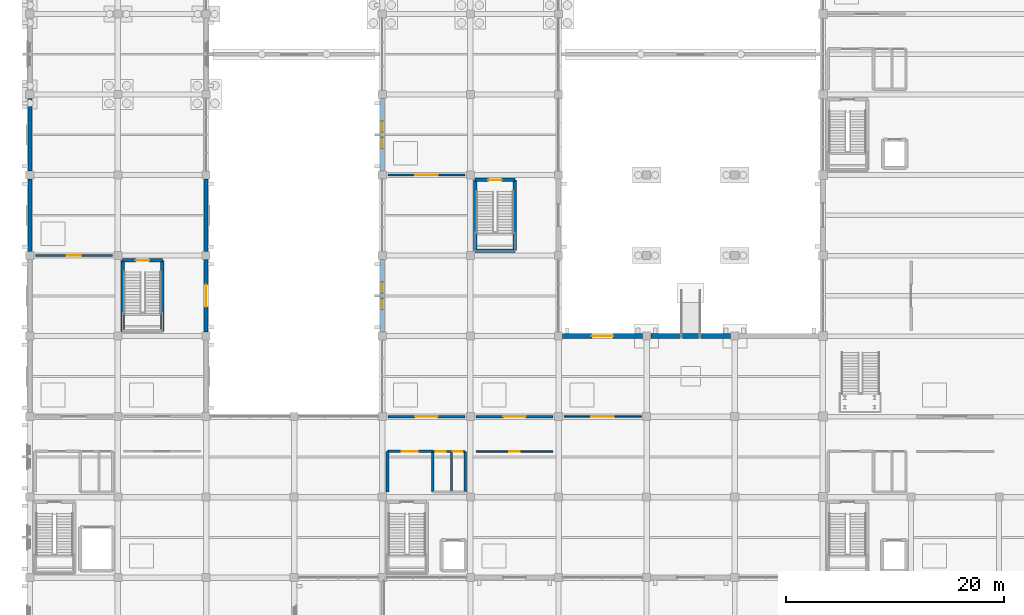
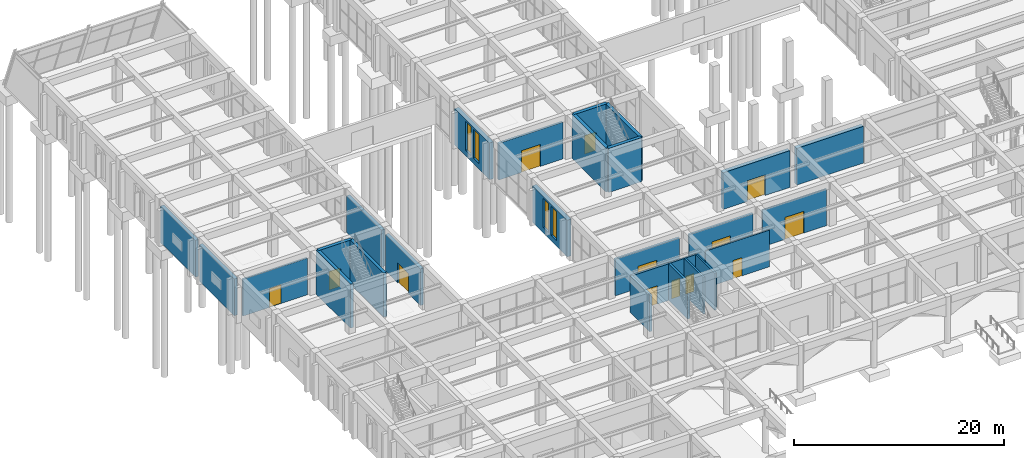
# One storey, part 123 of 140: 27 walls, 13 doors, 4 windows, 17 openings.
"""IFC4 building model written with IfcOpenShell, lengths in metres."""

from ifc_helpers import new_model, si_unit, direction, frame, frame_2d, origin, place, context, subcontext, project, spatial, rectangle, extrude, material, layer, layer_set, type_object, element, fill, save


model = new_model("IFC4")

# Units and contexts
model_context = context("Model", 3, precision=1e-05, world=origin(), true_north=direction((0.0, 1.0)))
body_context = subcontext(model_context, "Body", "Model", "MODEL_VIEW")
ifc_project = project(units=[si_unit("LENGTHUNIT", "METRE"), si_unit("AREAUNIT", "SQUARE_METRE"), si_unit("VOLUMEUNIT", "CUBIC_METRE"), si_unit("PLANEANGLEUNIT", "RADIAN"), si_unit("MASSUNIT", "GRAM", prefix="KILO")], contexts=[model_context])

# Site, building, storey
site_placement = place(None, origin())
site = spatial("IfcSite", under=ifc_project, at=site_placement, CompositionType="ELEMENT")
building_placement = place(site_placement, origin())
building = spatial("IfcBuilding", under=site, at=building_placement, Name="Cimatlan Art Gallery", CompositionType="ELEMENT")
storey_placement = place(building_placement, origin())
storey = spatial("IfcBuildingStorey", under=building, at=storey_placement, Name="L00", CompositionType="ELEMENT", Elevation=0.0)

# Walls
ifc_material_1 = material(Name="Concrete C40/50", Category="concrete")
ifc_layer_1 = layer(ifc_material_1, 0.35009765625)
ifc_layer_set_1 = layer_set([ifc_layer_1], Name="Concrete C40/50")
wall_type_1 = type_object("IfcWallType", Name="W-CORE-350", PredefinedType="SHEAR", material=ifc_layer_set_1)
for number, where, z_axis, x_axis, name in (
    (1, (10.5400390625, 46.5400390625, 0.0), (0.0, 0.0, 1.0), (0.0, 1.0, 0.0), "WL-CORE-C7-L00-SW"),
    (2, (14.179931640625, 46.5400390625, 0.0), (0.0, 0.0, 1.0), (0.0, 1.0, 0.0), "WL-CORE-C7-L00-SE"),
):
    element("IfcWall", number, at=place(storey_placement, frame(where, z_axis=z_axis, x_axis=x_axis)), inside=storey, type_object=wall_type_1, Name=name, PredefinedType="SHEAR", context=body_context, shape_type="SweptSolid", body=[
        extrude(rectangle(XDim=6.52001953125, YDim=0.35009765625, at=frame_2d((3.260009765625, 0.0))), origin(), (0.0, 0.0, 1.0), 5.1298828125),
    ])

# Wall, opening, door
wall_1_placement = place(storey_placement, frame((10.5400390625, 53.06005859375, 0.0), z_axis=(0.0, 0.0, 1.0), x_axis=(1.0, 0.0, 0.0)))
wall_1 = element("IfcWall", 3, at=wall_1_placement, inside=storey, type_object=wall_type_1, Name="WL-CORE-C7-L00-SN", PredefinedType="SHEAR", context=body_context, shape_type="SweptSolid", body=[
    extrude(rectangle(XDim=3.639892578125, YDim=0.35009765625, at=frame_2d((1.81982421875, 0.0))), origin(), (0.0, 0.0, 1.0), 5.1298828125),
])
opening_1_placement = place(wall_1_placement, frame((1.219970703125, 0.0, 0.0)))
opening_1 = element("IfcOpeningElement", 4, at=opening_1_placement, cuts=wall_1, Name="Opening FD-C7-L00", PredefinedType="OPENING", context=body_context, shape_type="SweptSolid", body=[
    extrude(rectangle(XDim=1.199951171875, YDim=2.14990234375, at=frame_2d((0.60009765625, 1.074951171875))), frame((0.0, 0.18505859375, 0.0), z_axis=(0.0, -1.0, 0.0), x_axis=(1.0, 0.0, 0.0)), (0.0, 0.0, 1.0), 0.3701171875),
])
ifc_material_2 = material(Name="Fire-resisting steel acoustic stair door", Category="steel")
door_type_1 = type_object("IfcDoorType", Name="FD-ST-1200", OperationType="NOTDEFINED", PredefinedType="DOOR", material=ifc_material_2)
door_1_placement = place(opening_1_placement, origin())
door_1 = element("IfcDoor", 5, at=door_1_placement, inside=storey, type_object=door_type_1, Name="DR-C7-L00-ST", OperationType="SINGLE_SWING_LEFT", OverallHeight=2.14990234375, OverallWidth=1.199951171875, PredefinedType="DOOR", context=body_context, shape_type="SweptSolid", body=[
    extrude(rectangle(XDim=1.199951171875, YDim=2.14990234375, at=frame_2d((0.60009765625, 1.074951171875))), frame((0.0, 0.02490234375, 0.0), z_axis=(0.0, -1.0, 0.0), x_axis=(1.0, 0.0, 0.0)), (0.0, 0.0, 1.0), 0.050048828125),
])
fill(opening_1, door_1)

# Walls
wall_2_placement = place(storey_placement, frame((42.93994140625, 53.93994140625, 0.0), z_axis=(0.0, 0.0, 1.0), x_axis=(0.0, 1.0, 0.0)))
element("IfcWall", 6, at=wall_2_placement, inside=storey, type_object=wall_type_1, Name="WL-CORE-C8-L00-SW", PredefinedType="SHEAR", context=body_context, shape_type="SweptSolid", body=[
    extrude(rectangle(XDim=6.52001953125, YDim=0.35009765625, at=frame_2d((3.260009765625, 0.0))), origin(), (0.0, 0.0, 1.0), 5.1298828125),
])
wall_3_placement = place(storey_placement, frame((42.93994140625, 53.93994140625, 0.0), z_axis=(0.0, 0.0, 1.0), x_axis=(1.0, 0.0, 0.0)))
element("IfcWall", 7, at=wall_3_placement, inside=storey, type_object=wall_type_1, Name="WL-CORE-C8-L00-SS", PredefinedType="SHEAR", context=body_context, shape_type="SweptSolid", body=[
    extrude(rectangle(XDim=3.64013671875, YDim=0.35009765625, at=frame_2d((1.820068359375, 0.0))), origin(), (0.0, 0.0, 1.0), 5.1298828125),
])
wall_4_placement = place(storey_placement, frame((46.580078125, 53.93994140625, 0.0), z_axis=(0.0, 0.0, 1.0), x_axis=(0.0, 1.0, 0.0)))
element("IfcWall", 8, at=wall_4_placement, inside=storey, type_object=wall_type_1, Name="WL-CORE-C8-L00-SE", PredefinedType="SHEAR", context=body_context, shape_type="SweptSolid", body=[
    extrude(rectangle(XDim=6.52001953125, YDim=0.35009765625, at=frame_2d((3.260009765625, 0.0))), origin(), (0.0, 0.0, 1.0), 5.1298828125),
])

# Wall, opening, door
wall_5_placement = place(storey_placement, frame((42.93994140625, 60.4599609375, 0.0), z_axis=(0.0, 0.0, 1.0), x_axis=(1.0, 0.0, 0.0)))
wall_5 = element("IfcWall", 9, at=wall_5_placement, inside=storey, type_object=wall_type_1, Name="WL-CORE-C8-L00-SN", PredefinedType="SHEAR", context=body_context, shape_type="SweptSolid", body=[
    extrude(rectangle(XDim=3.64013671875, YDim=0.35009765625, at=frame_2d((1.820068359375, 0.0))), origin(), (0.0, 0.0, 1.0), 5.1298828125),
])
opening_2_placement = place(wall_5_placement, frame((1.219970703125, 0.0, 0.0)))
opening_2 = element("IfcOpeningElement", 10, at=opening_2_placement, cuts=wall_5, Name="Opening FD-C8-L00", PredefinedType="OPENING", context=body_context, shape_type="SweptSolid", body=[
    extrude(rectangle(XDim=1.199951171875, YDim=2.14990234375, at=frame_2d((0.60009765625, 1.074951171875))), frame((0.0, 0.18505859375, 0.0), z_axis=(0.0, -1.0, 0.0), x_axis=(1.0, 0.0, 0.0)), (0.0, 0.0, 1.0), 0.3701171875),
])
door_2_placement = place(opening_2_placement, origin())
door_2 = element("IfcDoor", 11, at=door_2_placement, inside=storey, type_object=door_type_1, Name="DR-C8-L00-ST", OperationType="SINGLE_SWING_LEFT", OverallHeight=2.14990234375, OverallWidth=1.199951171875, PredefinedType="DOOR", context=body_context, shape_type="SweptSolid", body=[
    extrude(rectangle(XDim=1.199951171875, YDim=2.14990234375, at=frame_2d((0.60009765625, 1.074951171875))), frame((0.0, 0.02490234375, 0.0), z_axis=(0.0, -1.0, 0.0), x_axis=(1.0, 0.0, 0.0)), (0.0, 0.0, 1.0), 0.050048828125),
])
fill(opening_2, door_2)

ifc_material_3 = material(Name="Precast concrete C40/50", Category="concrete")
ifc_layer_2 = layer(ifc_material_3, 0.2451171875)
ifc_layer_set_2 = layer_set([ifc_layer_2], Name="Precast concrete C40/50")
wall_type_2 = type_object("IfcWallType", Name="W-FFL-245", PredefinedType="PARTITIONING", material=ifc_layer_set_2)
wall_6_placement = place(storey_placement, frame((34.8798828125, 35.5, 0.0), z_axis=(0.0, 0.0, 1.0), x_axis=(1.0, 0.0, 0.0)))
wall_6 = element("IfcWall", 12, at=wall_6_placement, inside=storey, type_object=wall_type_2, Name="WL-LOB-C2-L00-N", PredefinedType="PARTITIONING", context=body_context, shape_type="SweptSolid", body=[
    extrude(rectangle(XDim=4.170166015625, YDim=0.2451171875, at=frame_2d((2.0849609375, 0.0))), origin(), (0.0, 0.0, 1.0), 4.27490234375),
])
opening_3_placement = place(wall_6_placement, frame((1.300048828125, 0.0, 0.0)))
opening_3 = element("IfcOpeningElement", 13, at=opening_3_placement, cuts=wall_6, Name="Opening FDL-C2-L00", PredefinedType="OPENING", context=body_context, shape_type="SweptSolid", body=[
    extrude(rectangle(XDim=1.5, YDim=2.14990234375, at=frame_2d((0.75, 1.074951171875))), frame((0.0, 0.132568359375, 0.0), z_axis=(0.0, -1.0, 0.0), x_axis=(1.0, 0.0, 0.0)), (0.0, 0.0, 1.0), 0.26513671875),
])
ifc_material_4 = material(Name="Fire-resisting double-seal lobby door")
door_type_2 = type_object("IfcDoorType", Name="FD-LB-1500", OperationType="NOTDEFINED", PredefinedType="DOOR", material=ifc_material_4)
door_3_placement = place(opening_3_placement, origin())
door_3 = element("IfcDoor", 14, at=door_3_placement, inside=storey, type_object=door_type_2, Name="DR-LOB-C2-L00", OperationType="SINGLE_SWING_RIGHT", OverallHeight=2.14990234375, OverallWidth=1.5, PredefinedType="DOOR", context=body_context, shape_type="SweptSolid", body=[
    extrude(rectangle(XDim=1.5, YDim=2.14990234375, at=frame_2d((0.75, 1.074951171875))), frame((0.0, 0.02490234375, 0.0), z_axis=(0.0, -1.0, 0.0), x_axis=(1.0, 0.0, 0.0)), (0.0, 0.0, 1.0), 0.050048828125),
])
fill(opening_3, door_3)

# Walls
for number, where, z_axis, x_axis, name in (
    (15, (34.8798828125, 31.780029296875, 0.0), (0.0, 0.0, 1.0), (0.0, 1.0, 0.0), "WL-LOB-C2-L00-W"),
    (16, (39.050048828125, 31.780029296875, 0.0), (0.0, 0.0, 1.0), (0.0, 1.0, 0.0), "WL-LOB-C2-L00-M"),
):
    element("IfcWall", number, at=place(storey_placement, frame(where, z_axis=z_axis, x_axis=x_axis)), inside=storey, type_object=wall_type_2, Name=name, PredefinedType="PARTITIONING", context=body_context, shape_type="SweptSolid", body=[
        extrude(rectangle(XDim=3.719970703125, YDim=0.2451171875, at=frame_2d((1.85986328125, 0.0))), origin(), (0.0, 0.0, 1.0), 4.27490234375),
    ])

# Wall, opening, door
ifc_material_5 = material(Name="Acoustic gypsum and steel stud partition", Category="steel")
ifc_layer_3 = layer(ifc_material_5, 0.22509765625)
ifc_layer_set_3 = layer_set([ifc_layer_3], Name="Acoustic gypsum and steel stud partition")
wall_type_3 = type_object("IfcWallType", Name="W-GAL-225", PredefinedType="PARTITIONING", material=ifc_layer_set_3)
wall_7_placement = place(storey_placement, frame((34.919921875, 38.699951171875, 0.0), z_axis=(0.0, 0.0, 1.0), x_axis=(1.0, 0.0, 0.0)))
wall_7 = element("IfcWall", 17, at=wall_7_placement, inside=storey, type_object=wall_type_3, Name="WL-RM-L00-GAL-W1", PredefinedType="PARTITIONING", context=body_context, shape_type="SweptSolid", body=[
    extrude(rectangle(XDim=7.06005859375, YDim=0.22509765625, at=frame_2d((3.530029296875, 0.0))), origin(), (0.0, 0.0, 1.0), 4.27490234375),
])
opening_4_placement = place(wall_7_placement, frame((2.5048828125, 0.0, 0.0)))
opening_4 = element("IfcOpeningElement", 18, at=opening_4_placement, cuts=wall_7, Name="Opening DI-0179", PredefinedType="OPENING", context=body_context, shape_type="SweptSolid", body=[
    extrude(rectangle(XDim=2.050048828125, YDim=2.550048828125, at=frame_2d((1.02490234375, 1.27490234375))), frame((0.0, 0.12255859375, 0.0), z_axis=(0.0, -1.0, 0.0), x_axis=(1.0, 0.0, 0.0)), (0.0, 0.0, 1.0), 0.2451171875),
])
ifc_material_6 = material(Name="European oak and bronze gallery portal door")
door_type_3 = type_object("IfcDoorType", Name="DI-GL-2050", OperationType="NOTDEFINED", PredefinedType="DOOR", material=ifc_material_6)
door_4_placement = place(opening_4_placement, origin())
door_4 = element("IfcDoor", 19, at=door_4_placement, inside=storey, type_object=door_type_3, Name="DR-RM-L00-GAL-W1", OperationType="SINGLE_SWING_LEFT", OverallHeight=2.550048828125, OverallWidth=2.050048828125, PredefinedType="DOOR", context=body_context, shape_type="SweptSolid", body=[
    extrude(rectangle(XDim=2.050048828125, YDim=2.550048828125, at=frame_2d((1.02490234375, 1.27490234375))), frame((0.0, 0.02490234375, 0.0), z_axis=(0.0, -1.0, 0.0), x_axis=(1.0, 0.0, 0.0)), (0.0, 0.0, 1.0), 0.050048828125),
])
fill(opening_4, door_4)

wall_8_placement = place(storey_placement, frame((43.02001953125, 38.699951171875, 0.0), z_axis=(0.0, 0.0, 1.0), x_axis=(1.0, 0.0, 0.0)))
wall_8 = element("IfcWall", 20, at=wall_8_placement, inside=storey, type_object=wall_type_3, Name="WL-RM-L00-GAL-W1E", PredefinedType="PARTITIONING", context=body_context, shape_type="SweptSolid", body=[
    extrude(rectangle(XDim=7.06005859375, YDim=0.22509765625, at=frame_2d((3.530029296875, 0.0))), origin(), (0.0, 0.0, 1.0), 4.27490234375),
])
opening_5_placement = place(wall_8_placement, frame((2.5048828125, 0.0, 0.0)))
opening_5 = element("IfcOpeningElement", 21, at=opening_5_placement, cuts=wall_8, Name="Opening DI-0180", PredefinedType="OPENING", context=body_context, shape_type="SweptSolid", body=[
    extrude(rectangle(XDim=2.050048828125, YDim=2.550048828125, at=frame_2d((1.02490234375, 1.27490234375))), frame((0.0, 0.12255859375, 0.0), z_axis=(0.0, -1.0, 0.0), x_axis=(1.0, 0.0, 0.0)), (0.0, 0.0, 1.0), 0.2451171875),
])
door_5_placement = place(opening_5_placement, origin())
door_5 = element("IfcDoor", 22, at=door_5_placement, inside=storey, type_object=door_type_3, Name="DR-RM-L00-GAL-W1E", OperationType="SINGLE_SWING_RIGHT", OverallHeight=2.550048828125, OverallWidth=2.050048828125, PredefinedType="DOOR", context=body_context, shape_type="SweptSolid", body=[
    extrude(rectangle(XDim=2.050048828125, YDim=2.550048828125, at=frame_2d((1.02490234375, 1.27490234375))), frame((0.0, 0.02490234375, 0.0), z_axis=(0.0, -1.0, 0.0), x_axis=(1.0, 0.0, 0.0)), (0.0, 0.0, 1.0), 0.050048828125),
])
fill(opening_5, door_5)

wall_9_placement = place(storey_placement, frame((34.919921875, 60.89990234375, 0.0), z_axis=(0.0, 0.0, 1.0), x_axis=(1.0, 0.0, 0.0)))
wall_9 = element("IfcWall", 23, at=wall_9_placement, inside=storey, type_object=wall_type_3, Name="WL-RM-L00-GAL-W2", PredefinedType="PARTITIONING", context=body_context, shape_type="SweptSolid", body=[
    extrude(rectangle(XDim=7.06005859375, YDim=0.22509765625, at=frame_2d((3.530029296875, 0.0))), origin(), (0.0, 0.0, 1.0), 4.27490234375),
])
opening_6_placement = place(wall_9_placement, frame((2.5048828125, 0.0, 0.0)))
opening_6 = element("IfcOpeningElement", 24, at=opening_6_placement, cuts=wall_9, Name="Opening DI-0181", PredefinedType="OPENING", context=body_context, shape_type="SweptSolid", body=[
    extrude(rectangle(XDim=2.050048828125, YDim=2.550048828125, at=frame_2d((1.02490234375, 1.27490234375))), frame((0.0, 0.12255859375, 0.0), z_axis=(0.0, -1.0, 0.0), x_axis=(1.0, 0.0, 0.0)), (0.0, 0.0, 1.0), 0.2451171875),
])
door_6_placement = place(opening_6_placement, origin())
door_6 = element("IfcDoor", 25, at=door_6_placement, inside=storey, type_object=door_type_3, Name="DR-RM-L00-GAL-W2", OperationType="SINGLE_SWING_LEFT", OverallHeight=2.550048828125, OverallWidth=2.050048828125, PredefinedType="DOOR", context=body_context, shape_type="SweptSolid", body=[
    extrude(rectangle(XDim=2.050048828125, YDim=2.550048828125, at=frame_2d((1.02490234375, 1.27490234375))), frame((0.0, 0.02490234375, 0.0), z_axis=(0.0, -1.0, 0.0), x_axis=(1.0, 0.0, 0.0)), (0.0, 0.0, 1.0), 0.050048828125),
])
fill(opening_6, door_6)

ifc_material_7 = material(Name="Fire-rated gypsum board and steel stud partition", Category="steel")
ifc_layer_4 = layer(ifc_material_7, 0.139892578125)
ifc_layer_set_4 = layer_set([ifc_layer_4], Name="Fire-rated gypsum board and steel stud partition")
wall_type_4 = type_object("IfcWallType", Name="W-OFF-140", PredefinedType="PARTITIONING", material=ifc_layer_set_4)
wall_10_placement = place(storey_placement, frame((43.02001953125, 35.5, 0.0), z_axis=(0.0, 0.0, 1.0), x_axis=(1.0, 0.0, 0.0)))
wall_10 = element("IfcWall", 26, at=wall_10_placement, inside=storey, type_object=wall_type_4, Name="WL-RM-L00-FOY-01", PredefinedType="PARTITIONING", context=body_context, shape_type="SweptSolid", body=[
    extrude(rectangle(XDim=7.06005859375, YDim=0.139892578125, at=frame_2d((3.530029296875, 0.0))), origin(), (0.0, 0.0, 1.0), 4.27490234375),
])
opening_7_placement = place(wall_10_placement, frame((3.030029296875, 0.0, 0.0)))
opening_7 = element("IfcOpeningElement", 27, at=opening_7_placement, cuts=wall_10, Name="Opening DI-0177", PredefinedType="OPENING", context=body_context, shape_type="SweptSolid", body=[
    extrude(rectangle(XDim=1.0, YDim=2.1201171875, at=frame_2d((0.5, 1.06005859375))), frame((0.0, 0.080078125, 0.0), z_axis=(0.0, -1.0, 0.0), x_axis=(1.0, 0.0, 0.0)), (0.0, 0.0, 1.0), 0.159912109375),
])
ifc_material_8 = material(Name="Timber curatorial office door", Category="wood")
door_type_4 = type_object("IfcDoorType", Name="DI-OF-1000", OperationType="NOTDEFINED", PredefinedType="DOOR", material=ifc_material_8)
door_7_placement = place(opening_7_placement, origin())
door_7 = element("IfcDoor", 28, at=door_7_placement, inside=storey, type_object=door_type_4, Name="DR-RM-L00-FOY-01", OperationType="SINGLE_SWING_LEFT", OverallHeight=2.1201171875, OverallWidth=1.0, PredefinedType="DOOR", context=body_context, shape_type="SweptSolid", body=[
    extrude(rectangle(XDim=1.0, YDim=2.1201171875, at=frame_2d((0.5, 1.06005859375))), frame((0.0, 0.02490234375, 0.0), z_axis=(0.0, -1.0, 0.0), x_axis=(1.0, 0.0, 0.0)), (0.0, 0.0, 1.0), 0.050048828125),
])
fill(opening_7, door_7)

wall_11_placement = place(storey_placement, frame((51.1201171875, 38.699951171875, 0.0), z_axis=(0.0, 0.0, 1.0), x_axis=(1.0, 0.0, 0.0)))
wall_11 = element("IfcWall", 29, at=wall_11_placement, inside=storey, type_object=wall_type_4, Name="WL-RM-L00-SCP-CL", PredefinedType="PARTITIONING", context=body_context, shape_type="SweptSolid", body=[
    extrude(rectangle(XDim=7.059814453125, YDim=0.139892578125, at=frame_2d((3.52978515625, 0.0))), origin(), (0.0, 0.0, 1.0), 4.27490234375),
])
opening_8_placement = place(wall_11_placement, frame((2.5048828125, 0.0, 0.0)))
opening_8 = element("IfcOpeningElement", 30, at=opening_8_placement, cuts=wall_11, Name="Opening DI-0178", PredefinedType="OPENING", context=body_context, shape_type="SweptSolid", body=[
    extrude(rectangle(XDim=2.050048828125, YDim=2.550048828125, at=frame_2d((1.02490234375, 1.27490234375))), frame((0.0, 0.080078125, 0.0), z_axis=(0.0, -1.0, 0.0), x_axis=(1.0, 0.0, 0.0)), (0.0, 0.0, 1.0), 0.159912109375),
])
door_8_placement = place(opening_8_placement, origin())
door_8 = element("IfcDoor", 31, at=door_8_placement, inside=storey, type_object=door_type_3, Name="DR-RM-L00-SCP-CL", OperationType="SINGLE_SWING_RIGHT", OverallHeight=2.550048828125, OverallWidth=2.050048828125, PredefinedType="DOOR", context=body_context, shape_type="SweptSolid", body=[
    extrude(rectangle(XDim=2.050048828125, YDim=2.550048828125, at=frame_2d((1.02490234375, 1.27490234375))), frame((0.0, 0.02490234375, 0.0), z_axis=(0.0, -1.0, 0.0), x_axis=(1.0, 0.0, 0.0)), (0.0, 0.0, 1.0), 0.050048828125),
])
fill(opening_8, door_8)

# Walls
ifc_material_9 = material(Name="Moisture-resistant fire-rated plumbing wall")
ifc_layer_5 = layer(ifc_material_9, 0.195068359375)
ifc_layer_set_5 = layer_set([ifc_layer_5], Name="Moisture-resistant fire-rated plumbing wall")
wall_type_5 = type_object("IfcWallType", Name="W-PLM-195", PredefinedType="PARTITIONING", material=ifc_layer_set_5)
for number, where, z_axis, x_axis, name in (
    (32, (40.75, 31.780029296875, 0.0), (0.0, 0.0, 1.0), (0.0, 1.0, 0.0), "WL-LOB-C2-L00-D"),
    (33, (42.02001953125, 31.780029296875, 0.0), (0.0, 0.0, 1.0), (0.0, 1.0, 0.0), "WL-LOB-C2-L00-E"),
):
    element("IfcWall", number, at=place(storey_placement, frame(where, z_axis=z_axis, x_axis=x_axis)), inside=storey, type_object=wall_type_5, Name=name, PredefinedType="PARTITIONING", context=body_context, shape_type="SweptSolid", body=[
        extrude(rectangle(XDim=3.719970703125, YDim=0.195068359375, at=frame_2d((1.85986328125, 0.0))), origin(), (0.0, 0.0, 1.0), 4.27490234375),
    ])

# Wall, openings, doors
wall_12_placement = place(storey_placement, frame((39.050048828125, 35.5, 0.0), z_axis=(0.0, 0.0, 1.0), x_axis=(1.0, 0.0, 0.0)))
wall_12 = element("IfcWall", 34, at=wall_12_placement, inside=storey, type_object=wall_type_5, Name="WL-WC-C2-L00-N", PredefinedType="PARTITIONING", context=body_context, shape_type="SweptSolid", body=[
    extrude(rectangle(XDim=2.969970703125, YDim=0.195068359375, at=frame_2d((1.48486328125, 0.0))), origin(), (0.0, 0.0, 1.0), 4.27490234375),
])
opening_9_placement = place(wall_12_placement, frame((0.25, 0.0, 0.0)))
opening_9 = element("IfcOpeningElement", 35, at=opening_9_placement, cuts=wall_12, Name="Opening DWC-C2A-L00", PredefinedType="OPENING", context=body_context, shape_type="SweptSolid", body=[
    extrude(rectangle(XDim=0.949951171875, YDim=2.10009765625, at=frame_2d((0.47509765625, 1.050048828125))), frame((0.0, 0.107421875, 0.0), z_axis=(0.0, -1.0, 0.0), x_axis=(1.0, 0.0, 0.0)), (0.0, 0.0, 1.0), 0.215087890625),
])
opening_10_placement = place(wall_12_placement, frame((1.820068359375, 0.0, 0.0)))
opening_10 = element("IfcOpeningElement", 36, at=opening_10_placement, cuts=wall_12, Name="Opening DWC-C2B-L00", PredefinedType="OPENING", context=body_context, shape_type="SweptSolid", body=[
    extrude(rectangle(XDim=0.89990234375, YDim=2.10009765625, at=frame_2d((0.449951171875, 1.050048828125))), frame((0.0, 0.107421875, 0.0), z_axis=(0.0, -1.0, 0.0), x_axis=(1.0, 0.0, 0.0)), (0.0, 0.0, 1.0), 0.215087890625),
])
ifc_material_10 = material(Name="Sanitary room door")
door_type_5 = type_object("IfcDoorType", Name="DI-WC-0900", OperationType="NOTDEFINED", PredefinedType="DOOR", material=ifc_material_10)
door_9_placement = place(opening_10_placement, origin())
door_9 = element("IfcDoor", 37, at=door_9_placement, inside=storey, type_object=door_type_5, Name="DR-PWC-C2-L00", OperationType="SINGLE_SWING_RIGHT", OverallHeight=2.10009765625, OverallWidth=0.89990234375, PredefinedType="DOOR", context=body_context, shape_type="SweptSolid", body=[
    extrude(rectangle(XDim=0.89990234375, YDim=2.10009765625, at=frame_2d((0.449951171875, 1.050048828125))), frame((0.0, 0.02490234375, 0.0), z_axis=(0.0, -1.0, 0.0), x_axis=(1.0, 0.0, 0.0)), (0.0, 0.0, 1.0), 0.050048828125),
])
fill(opening_10, door_9)
ifc_material_11 = material(Name="Accessible sanitary room door")
door_type_6 = type_object("IfcDoorType", Name="DI-WC-0950", OperationType="NOTDEFINED", PredefinedType="DOOR", material=ifc_material_11)
door_10_placement = place(opening_9_placement, origin())
door_10 = element("IfcDoor", 38, at=door_10_placement, inside=storey, type_object=door_type_6, Name="DR-AWC-C2-L00", OperationType="SINGLE_SWING_LEFT", OverallHeight=2.10009765625, OverallWidth=0.949951171875, PredefinedType="DOOR", context=body_context, shape_type="SweptSolid", body=[
    extrude(rectangle(XDim=0.949951171875, YDim=2.10009765625, at=frame_2d((0.47509765625, 1.050048828125))), frame((0.0, 0.02490234375, 0.0), z_axis=(0.0, -1.0, 0.0), x_axis=(1.0, 0.0, 0.0)), (0.0, 0.0, 1.0), 0.050048828125),
])
fill(opening_9, door_10)

# Wall, opening, door
ifc_layer_6 = layer(ifc_material_5, 0.179931640625)
ifc_layer_set_6 = layer_set([ifc_layer_6], Name="Acoustic gypsum and steel stud partition")
wall_type_6 = type_object("IfcWallType", Name="W-STD-180", PredefinedType="PARTITIONING", material=ifc_layer_set_6)
wall_13_placement = place(storey_placement, frame((2.52001953125, 53.5, 0.0), z_axis=(0.0, 0.0, 1.0), x_axis=(1.0, 0.0, 0.0)))
wall_13 = element("IfcWall", 39, at=wall_13_placement, inside=storey, type_object=wall_type_6, Name="WL-RM-L00-CNS-01", PredefinedType="PARTITIONING", context=body_context, shape_type="SweptSolid", body=[
    extrude(rectangle(XDim=7.06005859375, YDim=0.179931640625, at=frame_2d((3.530029296875, 0.0))), origin(), (0.0, 0.0, 1.0), 4.27490234375),
])
opening_11_placement = place(wall_13_placement, frame((2.8798828125, 0.0, 0.0)))
opening_11 = element("IfcOpeningElement", 40, at=opening_11_placement, cuts=wall_13, Name="Opening DI-0175", PredefinedType="OPENING", context=body_context, shape_type="SweptSolid", body=[
    extrude(rectangle(XDim=1.300048828125, YDim=2.199951171875, at=frame_2d((0.64990234375, 1.10009765625))), frame((0.0, 0.10009765625, 0.0), z_axis=(0.0, -1.0, 0.0), x_axis=(1.0, 0.0, 0.0)), (0.0, 0.0, 1.0), 0.199951171875),
])
ifc_material_12 = material(Name="Conservation laboratory double-leaf door")
door_type_7 = type_object("IfcDoorType", Name="DI-CN-1300", OperationType="NOTDEFINED", PredefinedType="DOOR", material=ifc_material_12)
door_11_placement = place(opening_11_placement, origin())
door_11 = element("IfcDoor", 41, at=door_11_placement, inside=storey, type_object=door_type_7, Name="DR-RM-L00-CNS-01", OperationType="SINGLE_SWING_LEFT", OverallHeight=2.199951171875, OverallWidth=1.300048828125, PredefinedType="DOOR", context=body_context, shape_type="SweptSolid", body=[
    extrude(rectangle(XDim=1.300048828125, YDim=2.199951171875, at=frame_2d((0.64990234375, 1.10009765625))), frame((0.0, 0.02490234375, 0.0), z_axis=(0.0, -1.0, 0.0), x_axis=(1.0, 0.0, 0.0)), (0.0, 0.0, 1.0), 0.050048828125),
])
fill(opening_11, door_11)

# Wall, openings, windows
ifc_layer_7 = layer(ifc_material_3, 0.43994140625)
ifc_layer_set_7 = layer_set([ifc_layer_7], Name="Precast concrete C40/50")
wall_type_7 = type_object("IfcWallType", Name="WL-EXT-CAN-440", PredefinedType="SOLIDWALL", material=ifc_layer_set_7)
wall_14_placement = place(storey_placement, frame((34.39990234375, 46.47900390625, 0.0), z_axis=(0.0, 0.0, 1.0), x_axis=(0.0, 1.0, 0.0)))
wall_14 = element("IfcWall", 42, at=wall_14_placement, inside=storey, type_object=wall_type_7, Name="WL-EXT-L00-04-06-W", PredefinedType="SOLIDWALL", context=body_context, shape_type="SweptSolid", body=[
    extrude(rectangle(XDim=6.64208984375, YDim=0.43994140625, at=frame_2d((3.321044921875, 0.0))), origin(), (0.0, 0.0, 1.0), 4.27001953125),
])
opening_12_placement = place(wall_14_placement, frame((2.06103515625, 0.0, 0.64990234375)))
opening_12 = element("IfcOpeningElement", 43, at=opening_12_placement, cuts=wall_14, Name="Opening WN-0035", PredefinedType="OPENING", context=body_context, shape_type="SweptSolid", body=[
    extrude(rectangle(XDim=1.02001953125, YDim=3.3798828125, at=frame_2d((0.510009765625, 1.68994140625))), frame((0.0, 0.22998046875, 0.0), z_axis=(0.0, -1.0, 0.0), x_axis=(1.0, 0.0, 0.0)), (0.0, 0.0, 1.0), 0.4599609375),
])
opening_13_placement = place(wall_14_placement, frame((3.56103515625, 0.0, 0.64990234375)))
opening_13 = element("IfcOpeningElement", 44, at=opening_13_placement, cuts=wall_14, Name="Opening WN-0036", PredefinedType="OPENING", context=body_context, shape_type="SweptSolid", body=[
    extrude(rectangle(XDim=1.02001953125, YDim=3.3798828125, at=frame_2d((0.510009765625, 1.68994140625))), frame((0.0, 0.22998046875, 0.0), z_axis=(0.0, -1.0, 0.0), x_axis=(1.0, 0.0, 0.0)), (0.0, 0.0, 1.0), 0.4599609375),
])
ifc_material_13 = material(Name="Low-E laminated double glazing in bronze lancet frame", Category="glass")
window_type = type_object("IfcWindowType", Name="WIN-PAV-W0-1020X3380", PartitioningType="SINGLE_PANEL", PredefinedType="WINDOW", material=ifc_material_13)
window_1_placement = place(opening_12_placement, origin())
window_1 = element("IfcWindow", 45, at=window_1_placement, inside=storey, type_object=window_type, Name="WIN-0035", OverallHeight=3.3798828125, OverallWidth=1.02001953125, PartitioningType="SINGLE_PANEL", PredefinedType="WINDOW", context=body_context, shape_type="SweptSolid", body=[
    extrude(rectangle(XDim=1.02001953125, YDim=3.3798828125, at=frame_2d((0.510009765625, 1.68994140625))), frame((0.0, 0.030029296875, 0.0), z_axis=(0.0, -1.0, 0.0), x_axis=(1.0, 0.0, 0.0)), (0.0, 0.0, 1.0), 0.06005859375),
])
fill(opening_12, window_1)
window_2_placement = place(opening_13_placement, origin())
window_2 = element("IfcWindow", 46, at=window_2_placement, inside=storey, type_object=window_type, Name="WIN-0036", OverallHeight=3.3798828125, OverallWidth=1.02001953125, PartitioningType="SINGLE_PANEL", PredefinedType="WINDOW", context=body_context, shape_type="SweptSolid", body=[
    extrude(rectangle(XDim=1.02001953125, YDim=3.3798828125, at=frame_2d((0.510009765625, 1.68994140625))), frame((0.0, 0.030029296875, 0.0), z_axis=(0.0, -1.0, 0.0), x_axis=(1.0, 0.0, 0.0)), (0.0, 0.0, 1.0), 0.06005859375),
])
fill(opening_13, window_2)

wall_15_placement = place(storey_placement, frame((34.39990234375, 61.279052734375, 0.0), z_axis=(0.0, 0.0, 1.0), x_axis=(0.0, 1.0, 0.0)))
wall_15 = element("IfcWall", 47, at=wall_15_placement, inside=storey, type_object=wall_type_7, Name="WL-EXT-L00-04-08-W", PredefinedType="SOLIDWALL", context=body_context, shape_type="SweptSolid", body=[
    extrude(rectangle(XDim=6.641845703125, YDim=0.43994140625, at=frame_2d((3.32080078125, 0.0))), origin(), (0.0, 0.0, 1.0), 4.27001953125),
])
opening_14_placement = place(wall_15_placement, frame((2.06103515625, 0.0, 0.64990234375)))
opening_14 = element("IfcOpeningElement", 48, at=opening_14_placement, cuts=wall_15, Name="Opening WN-0037", PredefinedType="OPENING", context=body_context, shape_type="SweptSolid", body=[
    extrude(rectangle(XDim=1.02001953125, YDim=3.3798828125, at=frame_2d((0.510009765625, 1.68994140625))), frame((0.0, 0.22998046875, 0.0), z_axis=(0.0, -1.0, 0.0), x_axis=(1.0, 0.0, 0.0)), (0.0, 0.0, 1.0), 0.4599609375),
])
opening_15_placement = place(wall_15_placement, frame((3.56103515625, 0.0, 0.64990234375)))
opening_15 = element("IfcOpeningElement", 49, at=opening_15_placement, cuts=wall_15, Name="Opening WN-0038", PredefinedType="OPENING", context=body_context, shape_type="SweptSolid", body=[
    extrude(rectangle(XDim=1.02001953125, YDim=3.3798828125, at=frame_2d((0.510009765625, 1.68994140625))), frame((0.0, 0.22998046875, 0.0), z_axis=(0.0, -1.0, 0.0), x_axis=(1.0, 0.0, 0.0)), (0.0, 0.0, 1.0), 0.4599609375),
])
window_3_placement = place(opening_14_placement, origin())
window_3 = element("IfcWindow", 50, at=window_3_placement, inside=storey, type_object=window_type, Name="WIN-0037", OverallHeight=3.3798828125, OverallWidth=1.02001953125, PartitioningType="SINGLE_PANEL", PredefinedType="WINDOW", context=body_context, shape_type="SweptSolid", body=[
    extrude(rectangle(XDim=1.02001953125, YDim=3.3798828125, at=frame_2d((0.510009765625, 1.68994140625))), frame((0.0, 0.030029296875, 0.0), z_axis=(0.0, -1.0, 0.0), x_axis=(1.0, 0.0, 0.0)), (0.0, 0.0, 1.0), 0.06005859375),
])
fill(opening_14, window_3)
window_4_placement = place(opening_15_placement, origin())
window_4 = element("IfcWindow", 51, at=window_4_placement, inside=storey, type_object=window_type, Name="WIN-0038", OverallHeight=3.3798828125, OverallWidth=1.02001953125, PartitioningType="SINGLE_PANEL", PredefinedType="WINDOW", context=body_context, shape_type="SweptSolid", body=[
    extrude(rectangle(XDim=1.02001953125, YDim=3.3798828125, at=frame_2d((0.510009765625, 1.68994140625))), frame((0.0, 0.030029296875, 0.0), z_axis=(0.0, -1.0, 0.0), x_axis=(1.0, 0.0, 0.0)), (0.0, 0.0, 1.0), 0.06005859375),
])
fill(opening_15, window_4)

# Wall, opening, door
wall_16_placement = place(storey_placement, frame((50.97900390625, 46.10009765625, 0.0), z_axis=(0.0, 0.0, 1.0), x_axis=(1.0, 0.0, 0.0)))
wall_16 = element("IfcWall", 52, at=wall_16_placement, inside=storey, type_object=wall_type_7, Name="WL-EXT-L00-06-05-N", PredefinedType="SOLIDWALL", context=body_context, shape_type="SweptSolid", body=[
    extrude(rectangle(XDim=7.342041015625, YDim=0.43994140625, at=frame_2d((3.6708984375, 0.0))), origin(), (0.0, 0.0, 1.0), 4.27001953125),
])
opening_16_placement = place(wall_16_placement, frame((2.696044921875, 0.0, 0.0)))
opening_16 = element("IfcOpeningElement", 53, at=opening_16_placement, cuts=wall_16, Name="Opening D-L00-E09", PredefinedType="OPENING", context=body_context, shape_type="SweptSolid", body=[
    extrude(rectangle(XDim=1.949951171875, YDim=2.39990234375, at=frame_2d((0.97509765625, 1.199951171875))), frame((0.0, 0.22998046875, 0.0), z_axis=(0.0, -1.0, 0.0), x_axis=(1.0, 0.0, 0.0)), (0.0, 0.0, 1.0), 0.4599609375),
])
ifc_material_14 = material(Name="Anodised bronze and laminated safety glass door", Category="glass")
door_type_8 = type_object("IfcDoorType", Name="DE-CT-1950", OperationType="NOTDEFINED", PredefinedType="DOOR", material=ifc_material_14)
door_12_placement = place(opening_16_placement, origin())
door_12 = element("IfcDoor", 54, at=door_12_placement, inside=storey, type_object=door_type_8, Name="D-L00-E09", OperationType="DOUBLE_SWING_LEFT", OverallHeight=2.39990234375, OverallWidth=1.949951171875, PredefinedType="DOOR", context=body_context, shape_type="SweptSolid", body=[
    extrude(rectangle(XDim=1.949951171875, YDim=2.39990234375, at=frame_2d((0.97509765625, 1.199951171875))), frame((0.0, 0.02490234375, 0.0), z_axis=(0.0, -1.0, 0.0), x_axis=(1.0, 0.0, 0.0)), (0.0, 0.0, 1.0), 0.050048828125),
])
fill(opening_16, door_12)

# Walls
wall_17_placement = place(storey_placement, frame((59.0791015625, 46.10009765625, 0.0), z_axis=(0.0, 0.0, 1.0), x_axis=(1.0, 0.0, 0.0)))
element("IfcWall", 55, at=wall_17_placement, inside=storey, type_object=wall_type_7, Name="WL-EXT-L00-07-05-N", PredefinedType="SOLIDWALL", context=body_context, shape_type="SweptSolid", body=[
    extrude(rectangle(XDim=7.341796875, YDim=0.43994140625, at=frame_2d((3.6708984375, 0.0))), origin(), (0.0, 0.0, 1.0), 4.27001953125),
])
ifc_layer_8 = layer(ifc_material_3, 0.364990234375)
ifc_layer_set_8 = layer_set([ifc_layer_8], Name="Precast concrete C40/50")
wall_type_8 = type_object("IfcWallType", Name="WL-EXT-VLT-365", PredefinedType="SOLIDWALL", material=ifc_layer_set_8)
wall_18_placement = place(storey_placement, frame((2.0, 53.87890625, 0.0), z_axis=(0.0, 0.0, 1.0), x_axis=(0.0, 1.0, 0.0)))
element("IfcWall", 56, at=wall_18_placement, inside=storey, type_object=wall_type_8, Name="WL-EXT-L00-00-07-W", PredefinedType="SOLIDWALL", context=body_context, shape_type="SweptSolid", body=[
    extrude(rectangle(XDim=6.64208984375, YDim=0.364990234375, at=frame_2d((3.321044921875, 0.0))), origin(), (0.0, 0.0, 1.0), 4.27001953125),
])
wall_19_placement = place(storey_placement, frame((2.0, 61.279052734375, 0.0), z_axis=(0.0, 0.0, 1.0), x_axis=(0.0, 1.0, 0.0)))
element("IfcWall", 57, at=wall_19_placement, inside=storey, type_object=wall_type_8, Name="WL-EXT-L00-00-08-W", PredefinedType="SOLIDWALL", context=body_context, shape_type="SweptSolid", body=[
    extrude(rectangle(XDim=6.641845703125, YDim=0.364990234375, at=frame_2d((3.32080078125, 0.0))), origin(), (0.0, 0.0, 1.0), 4.27001953125),
])

# Wall, opening, door
wall_20_placement = place(storey_placement, frame((18.199951171875, 53.12109375, 0.0), z_axis=(0.0, 0.0, 1.0), x_axis=(0.0, -1.0, 0.0)))
wall_20 = element("IfcWall", 58, at=wall_20_placement, inside=storey, type_object=wall_type_8, Name="WL-EXT-L00-01-06-E", PredefinedType="SOLIDWALL", context=body_context, shape_type="SweptSolid", body=[
    extrude(rectangle(XDim=6.64208984375, YDim=0.364990234375, at=frame_2d((3.321044921875, 0.0))), origin(), (0.0, 0.0, 1.0), 4.27001953125),
])
opening_17_placement = place(wall_20_placement, frame((2.2958984375, 0.0, 0.0)))
opening_17 = element("IfcOpeningElement", 59, at=opening_17_placement, cuts=wall_20, Name="Opening D-L00-E10", PredefinedType="OPENING", context=body_context, shape_type="SweptSolid", body=[
    extrude(rectangle(XDim=2.050048828125, YDim=2.35009765625, at=frame_2d((1.02490234375, 1.175048828125))), frame((0.0, 0.1923828125, 0.0), z_axis=(0.0, -1.0, 0.0), x_axis=(1.0, 0.0, 0.0)), (0.0, 0.0, 1.0), 0.385009765625),
])
door_type_9 = type_object("IfcDoorType", Name="DE-EX-2050", OperationType="NOTDEFINED", PredefinedType="DOOR", material=ifc_material_14)
door_13_placement = place(opening_17_placement, origin())
door_13 = element("IfcDoor", 60, at=door_13_placement, inside=storey, type_object=door_type_9, Name="D-L00-E10", OperationType="DOUBLE_SWING_LEFT", OverallHeight=2.35009765625, OverallWidth=2.050048828125, PredefinedType="DOOR", context=body_context, shape_type="SweptSolid", body=[
    extrude(rectangle(XDim=2.050048828125, YDim=2.35009765625, at=frame_2d((1.02490234375, 1.175048828125))), frame((0.0, 0.02490234375, 0.0), z_axis=(0.0, -1.0, 0.0), x_axis=(1.0, 0.0, 0.0)), (0.0, 0.0, 1.0), 0.050048828125),
])
fill(opening_17, door_13)

# Wall
wall_21_placement = place(storey_placement, frame((18.199951171875, 60.52099609375, 0.0), z_axis=(0.0, 0.0, 1.0), x_axis=(0.0, -1.0, 0.0)))
element("IfcWall", 61, at=wall_21_placement, inside=storey, type_object=wall_type_8, Name="WL-EXT-L00-01-07-E", PredefinedType="SOLIDWALL", context=body_context, shape_type="SweptSolid", body=[
    extrude(rectangle(XDim=6.64208984375, YDim=0.364990234375, at=frame_2d((3.321044921875, 0.0))), origin(), (0.0, 0.0, 1.0), 4.27001953125),
])

save(model, "model.ifc")
